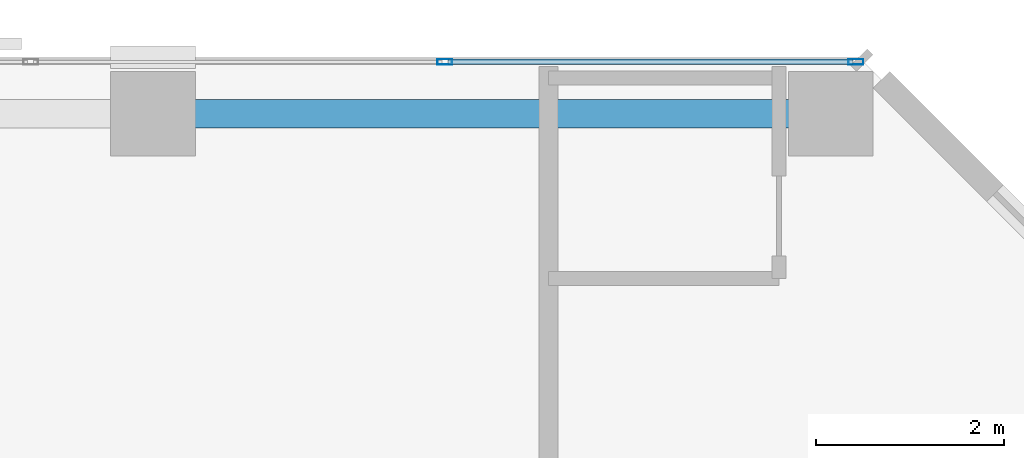
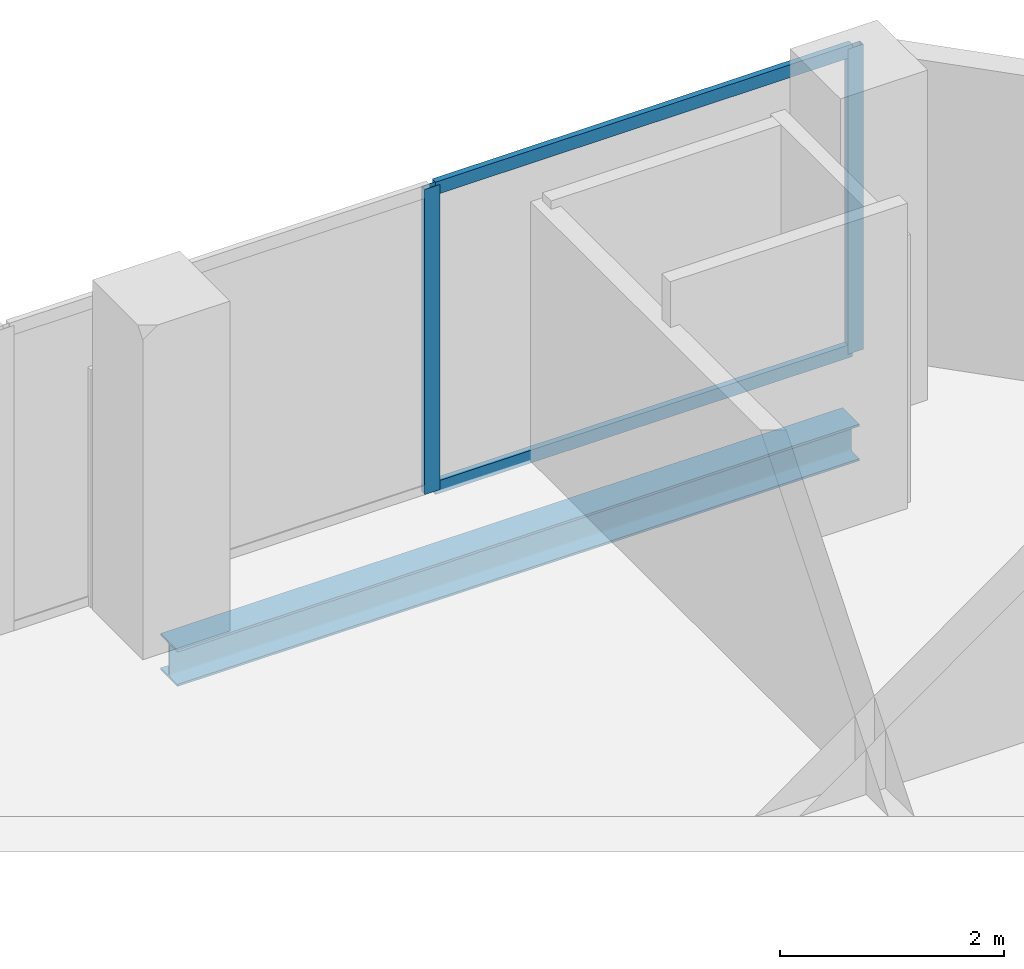
# One storey, part 25 of 35: 4 members, 1 beam, 1 element without a shape of its own.
"""IFC4 building model written with IfcOpenShell, lengths in metres."""

from ifc_helpers import new_model, si_unit, direction, frame, origin, origin_2d, place, context, subcontext, project, spatial, hollow_rectangle, i_section, extrude, material, layer, layer_set, material_profile, profile_set, type_object, element, aggregate, save


model = new_model("IFC4")

# Units and contexts
model_context = context("Model", 3, precision=1e-05, world=origin(), true_north=direction((0.0, 1.0)))
body_context = subcontext(model_context, "Body", "Model", "MODEL_VIEW")
ifc_project = project(units=[si_unit("LENGTHUNIT", "METRE"), si_unit("AREAUNIT", "SQUARE_METRE"), si_unit("VOLUMEUNIT", "CUBIC_METRE"), si_unit("PLANEANGLEUNIT", "RADIAN"), si_unit("MASSUNIT", "GRAM", prefix="KILO")], contexts=[model_context])

# Site, building, storey
site_placement = place(None, origin())
site = spatial("IfcSite", under=ifc_project, at=site_placement, CompositionType="ELEMENT")
building_placement = place(site_placement, origin())
building = spatial("IfcBuilding", under=site, at=building_placement, Name="Catumbela Crestline Tower", CompositionType="ELEMENT")
storey_placement = place(building_placement, frame((0.0, 0.0, 90.0)))
storey = spatial("IfcBuildingStorey", under=building, at=storey_placement, Name="L22", CompositionType="ELEMENT", Elevation=90.0)

# Curtain wall, members
ifc_material_1 = material(Name="Aluminium alloy AW-6060-T66", Category="aluminium")
ifc_layer = layer(ifc_material_1, 0.18, Name="Aluminium alloy AW-6060-T66")
ifc_layer_set = layer_set([ifc_layer], Name="Aluminium alloy AW-6060-T66")
curtain_wall_type = type_object("IfcCurtainWallType", Name="CWU-Z2", PredefinedType="USERDEFINED", material=ifc_layer_set)
curtain_wall_placement = place(storey_placement, origin())
curtain_wall = element("IfcCurtainWall", 1, at=curtain_wall_placement, inside=storey, type_object=curtain_wall_type, Name="L22 Unitised Curtain Wall CW-L22-E7S1", ObjectType="UNITISED", PredefinedType="USERDEFINED")
ifc_material_profile_1 = material_profile(ifc_material_1, hollow_rectangle(XDim=0.06, YDim=0.16, WallThickness=0.004, at=origin_2d()), Name="ALU 160x60x4")
ifc_profile_set_1 = profile_set([ifc_material_profile_1], Name="Aluminium alloy AW-6060-T66")
member_type_1 = type_object("IfcMemberType", Name="MUL-160X60", PredefinedType="MULLION", material=ifc_profile_set_1)
member_1_placement = place(storey_placement, frame((47.4675, 47.95, 0.0), z_axis=(0.0, 0.0, 1.0), x_axis=(0.0, -1.0, 0.0)))
member_1 = element("IfcMember", 2, at=member_1_placement, type_object=member_type_1, Name="CWU-Z2 mullion 1", PredefinedType="MULLION", context=body_context, shape_type="SweptSolid", body=[
    extrude(hollow_rectangle(XDim=0.06, YDim=0.16, WallThickness=0.004, at=origin_2d()), origin(), (0.0, 0.0, 1.0), 3.33),
])
member_2_placement = place(storey_placement, frame((43.1, 47.95, 0.0), z_axis=(0.0, 0.0, 1.0), x_axis=(0.0, -1.0, 0.0)))
member_2 = element("IfcMember", 3, at=member_2_placement, type_object=member_type_1, Name="CWU-Z2 mullion 2", PredefinedType="MULLION", context=body_context, shape_type="SweptSolid", body=[
    extrude(hollow_rectangle(XDim=0.06, YDim=0.16, WallThickness=0.004, at=origin_2d()), origin(), (0.0, 0.0, 1.0), 3.33),
])

# Beam
ifc_material_2 = material(Name="Structural steel S355J2", Category="steel")
ifc_material_profile_2 = material_profile(ifc_material_2, i_section(OverallWidth=0.3, OverallDepth=0.4, WebThickness=0.0135, FlangeThickness=0.024, FilletRadius=0.027, at=origin_2d()), Name="HEB 400")
ifc_profile_set_2 = profile_set([ifc_material_profile_2], Name="Structural steel S355J2")
beam_type = type_object("IfcBeamType", Name="BS-HEB400", PredefinedType="SPANDREL", material=ifc_profile_set_2)
beam_placement = place(storey_placement, frame((40.08, 47.4, -0.46), z_axis=(1.0, 0.0, 0.0), x_axis=(0.0, 1.0, 0.0)))
element("IfcBeam", 4, at=beam_placement, inside=storey, type_object=beam_type, Name="L22 Spandrel SP-L22-NF21", PredefinedType="SPANDREL", context=body_context, shape_type="SweptSolid", body=[
    extrude(i_section(OverallWidth=0.3, OverallDepth=0.4, WebThickness=0.0135, FlangeThickness=0.024, FilletRadius=0.027, at=origin_2d()), origin(), (0.0, 0.0, 1.0), 7.04),
])

# Member
ifc_material_profile_3 = material_profile(ifc_material_1, hollow_rectangle(XDim=0.06, YDim=0.14, WallThickness=0.004, at=origin_2d()), Name="ALU 140x60x4")
ifc_profile_set_3 = profile_set([ifc_material_profile_3], Name="Aluminium alloy AW-6060-T66")
member_type_2 = type_object("IfcMemberType", Name="TRN-140X60", PredefinedType="USERDEFINED", material=ifc_profile_set_3)
member_3_placement = place(storey_placement, frame((47.435, 47.95, 0.03), z_axis=(-1.0, 0.0, 0.0), x_axis=(0.0, -1.0, 0.0)))
member_3 = element("IfcMember", 5, at=member_3_placement, type_object=member_type_2, Name="CWU-Z2 transom 1.1", ObjectType="TRANSOM", PredefinedType="USERDEFINED", context=body_context, shape_type="SweptSolid", body=[
    extrude(hollow_rectangle(XDim=0.06, YDim=0.14, WallThickness=0.004, at=origin_2d()), origin(), (0.0, 0.0, 1.0), 4.3025),
])

member_4_placement = place(storey_placement, frame((47.435, 47.95, 3.3), z_axis=(-1.0, 0.0, 0.0), x_axis=(0.0, -1.0, 0.0)))
member_4 = element("IfcMember", 6, at=member_4_placement, type_object=member_type_2, Name="CWU-Z2 transom 1.2", ObjectType="TRANSOM", PredefinedType="USERDEFINED", context=body_context, shape_type="SweptSolid", body=[
    extrude(hollow_rectangle(XDim=0.06, YDim=0.14, WallThickness=0.004, at=origin_2d()), origin(), (0.0, 0.0, 1.0), 4.3025),
])

aggregate(curtain_wall, [member_1, member_2, member_3, member_4])

save(model, "model.ifc")
